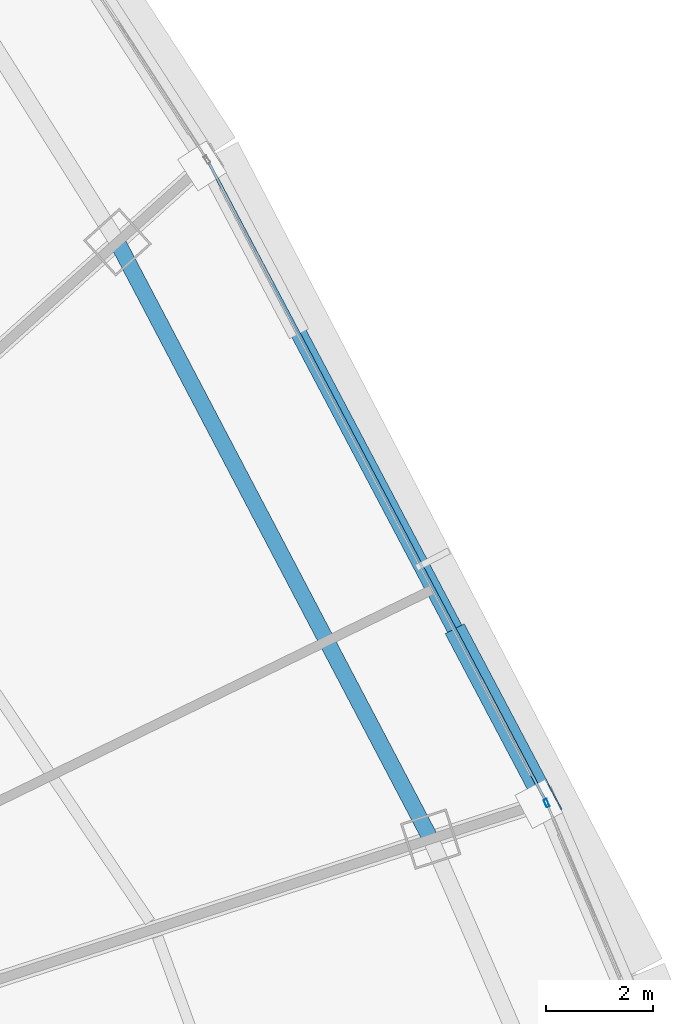
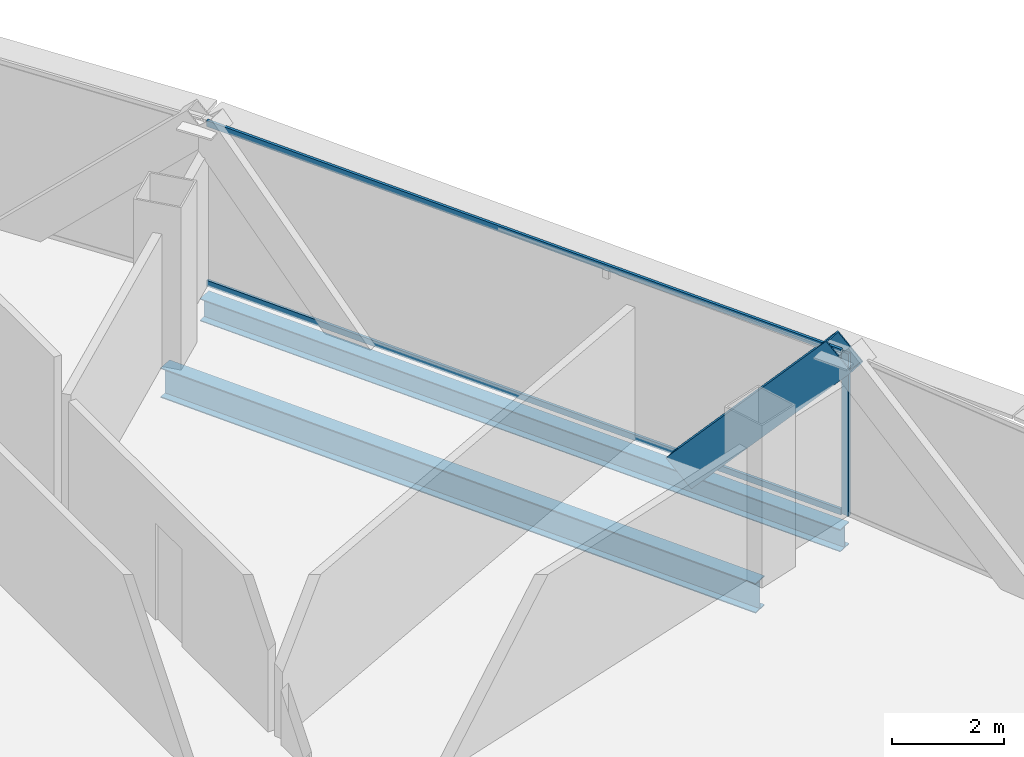
# One storey, part 27 of 40: 4 members, 2 beams, 2 elements without a shape of their own.
"""IFC4 building model written with IfcOpenShell, lengths in metres."""

from ifc_helpers import new_model, si_unit, direction, frame, origin, origin_2d, place, context, subcontext, project, spatial, hollow_rectangle, i_section, extrude, source, transform, mapped, material, layer, layer_set, material_profile, profile_set, type_object, element, aggregate, save


model = new_model("IFC4")

# Units and contexts
model_context = context("Model", 3, precision=1e-05, world=origin(), true_north=direction((0.0, 1.0)))
body_context = subcontext(model_context, "Body", "Model", "MODEL_VIEW")
ifc_project = project(units=[si_unit("LENGTHUNIT", "METRE"), si_unit("AREAUNIT", "SQUARE_METRE"), si_unit("VOLUMEUNIT", "CUBIC_METRE"), si_unit("PLANEANGLEUNIT", "RADIAN"), si_unit("MASSUNIT", "GRAM", prefix="KILO"), si_unit("THERMODYNAMICTEMPERATUREUNIT", "KELVIN"), si_unit("POWERUNIT", "WATT")], contexts=[model_context])

# Site, building, storey
site_placement = place(None, origin())
site = spatial("IfcSite", under=ifc_project, at=site_placement, CompositionType="ELEMENT")
building_placement = place(site_placement, origin())
building = spatial("IfcBuilding", under=site, at=building_placement, Name="Yunzhuo Pagoda Commons", CompositionType="ELEMENT")
storey_placement = place(building_placement, frame((0.0, 0.0, 188.56005859375)))
storey = spatial("IfcBuildingStorey", under=building, at=storey_placement, Name="L47", CompositionType="ELEMENT", Elevation=188.56005859375)

# Beams
ifc_material_1 = material(Name="Structural steel Q355B", Category="steel")
ifc_material_profile_1 = material_profile(ifc_material_1, i_section(OverallWidth=0.300048828125, OverallDepth=0.488037109375, WebThickness=0.010986328125, FlangeThickness=0.01806640625, at=origin_2d()), Name="Structural steel Q355B")
ifc_profile_set_1 = profile_set([ifc_material_profile_1], Name="Structural steel Q355B")
beam_type_1 = type_object("IfcBeamType", Name="B-SP1 Beam HM 488x300x11x18", PredefinedType="BEAM", material=ifc_profile_set_1)
shared_shape_1 = source(origin(), body_context, "Body", "SweptSolid", [
    extrude(i_section(OverallWidth=0.300048828125, OverallDepth=0.488037109375, WebThickness=0.010986328125, FlangeThickness=0.01806640625, at=origin_2d()), origin(), (0.0, 0.0, 1.0), 13.517578125),
])
beam_1_placement = place(storey_placement, frame((78.645263671875, 43.6572265625, -0.504150390625), z_axis=(-0.466784517215, 0.884371084154, 0.0), x_axis=(-0.884371084154, -0.466784517215, 0.0)))
element("IfcBeam", 1, at=beam_1_placement, inside=storey, type_object=beam_type_1, Name="L47 facade edge spandrel beam F2.2", PredefinedType="BEAM", context=body_context, shape_type="MappedRepresentation", body=[
    mapped(shared_shape_1, transform((0.0, 0.0, 0.0), scale=1.0)),
])
ifc_material_profile_2 = material_profile(ifc_material_1, i_section(OverallWidth=0.300048828125, OverallDepth=0.64990234375, WebThickness=0.012939453125, FlangeThickness=0.02197265625, at=origin_2d()), Name="Structural steel Q355B")
ifc_profile_set_2 = profile_set([ifc_material_profile_2], Name="Structural steel Q355B")
beam_type_2 = type_object("IfcBeamType", Name="B-RG2 Beam HN 650x300x13x22", PredefinedType="BEAM", material=ifc_profile_set_2)
shared_shape_2 = source(origin(), body_context, "Body", "SweptSolid", [
    extrude(i_section(OverallWidth=0.300048828125, OverallDepth=0.64990234375, WebThickness=0.012939453125, FlangeThickness=0.02197265625, at=origin_2d()), origin(), (0.0, 0.0, 1.0), 12.576416015625),
])
beam_2_placement = place(storey_placement, frame((76.49462890625, 42.95849609375, -0.5849609375), z_axis=(-0.464676385233, 0.885480579689, 0.0), x_axis=(-0.885480579689, -0.464676385233, 0.0)))
element("IfcBeam", 2, at=beam_2_placement, inside=storey, type_object=beam_type_2, Name="L47 column-ring beam 6", PredefinedType="BEAM", context=body_context, shape_type="MappedRepresentation", body=[
    mapped(shared_shape_2, transform((0.0, 0.0, 0.0), scale=1.0)),
])

# Member
ifc_material_profile_3 = material_profile(ifc_material_1, hollow_rectangle(XDim=0.39990234375, YDim=0.719970703125, WallThickness=0.02392578125, at=origin_2d()), Name="Structural steel Q355B")
ifc_profile_set_3 = profile_set([ifc_material_profile_3], Name="Structural steel Q355B")
member_type_1 = type_object("IfcMemberType", Name="M-DL2 Brace BOX 720x400x24", PredefinedType="BRACE", material=ifc_profile_set_3)
shared_shape_3 = source(origin(), body_context, "Body", "SweptSolid", [
    extrude(hollow_rectangle(XDim=0.39990234375, YDim=0.719970703125, WallThickness=0.02392578125, at=origin_2d()), origin(), (0.0, 0.0, 1.0), 5.08544921875),
])
member_1_placement = place(storey_placement, frame((77.067626953125, 46.645751953125, -0.260009765625), z_axis=(0.310232839863, -0.587675672047, 0.747256910008), x_axis=(0.884340844363, 0.466841805103, 0.0)))
element("IfcMember", 3, at=member_1_placement, inside=storey, type_object=member_type_1, Name="L47 facade diamond brace F2.2L", PredefinedType="BRACE", context=body_context, shape_type="MappedRepresentation", body=[
    mapped(shared_shape_3, transform((0.0, 0.0, 0.0), scale=1.0)),
])

# Curtain wall, member
ifc_material_2 = material(Name="Anodized aluminium 6063-T6", Category="aluminium")
ifc_layer = layer(ifc_material_2, 0.14990234375)
ifc_layer_set = layer_set([ifc_layer], Name="Anodized aluminium 6063-T6")
curtain_wall_type = type_object("IfcCurtainWallType", Name="CW-MID Mid-Zone Ribbon Curtain Wall", PredefinedType="NOTDEFINED", material=ifc_layer_set)
curtain_wall_1_placement = place(storey_placement, origin())
curtain_wall_1 = element("IfcCurtainWall", 4, at=curtain_wall_1_placement, inside=storey, type_object=curtain_wall_type, Name="L47 curtain wall CW-L47-F2B2", PredefinedType="NOTDEFINED")
ifc_material_profile_4 = material_profile(ifc_material_2, hollow_rectangle(XDim=0.06005859375, YDim=0.14990234375, WallThickness=0.00390625, at=origin_2d()), Name="Anodized aluminium 6063-T6")
ifc_profile_set_4 = profile_set([ifc_material_profile_4], Name="Anodized aluminium 6063-T6")
member_type_2 = type_object("IfcMemberType", Name="CW-MID-M Mullion RHS 150x60x4", PredefinedType="MULLION", material=ifc_profile_set_4)
shared_shape_4 = source(origin(), body_context, "Body", "SweptSolid", [
    extrude(hollow_rectangle(XDim=0.06005859375, YDim=0.14990234375, WallThickness=0.00390625, at=origin_2d()), origin(), (0.0, 0.0, 1.0), 3.5400390625),
])
member_2_placement = place(storey_placement, frame((78.65673828125, 43.629638671875, 0.0), z_axis=(0.0, 0.0, 1.0), x_axis=(-0.920515325194, -0.390706457693, 0.0)))
member_2 = element("IfcMember", 5, at=member_2_placement, type_object=member_type_2, Name="CW mullion 2", PredefinedType="MULLION", context=body_context, shape_type="MappedRepresentation", body=[
    mapped(shared_shape_4, transform((0.0, 0.0, 0.0), scale=1.0)),
])
aggregate(curtain_wall_1, [member_2])

# Curtain wall, members
curtain_wall_2_placement = place(storey_placement, origin())
curtain_wall_2 = element("IfcCurtainWall", 6, at=curtain_wall_2_placement, inside=storey, type_object=curtain_wall_type, Name="L47 curtain wall CW-L47-F2B3", PredefinedType="NOTDEFINED")
ifc_material_profile_5 = material_profile(ifc_material_2, hollow_rectangle(XDim=0.054931640625, YDim=0.1298828125, WallThickness=0.00341796875, at=origin_2d()), Name="Anodized aluminium 6063-T6")
ifc_profile_set_5 = profile_set([ifc_material_profile_5], Name="Anodized aluminium 6063-T6")
member_type_3 = type_object("IfcMemberType", Name="CW-MID-T Transom RHS 130x55x3.5", PredefinedType="USERDEFINED", material=ifc_profile_set_5)
shared_shape_5 = source(origin(), body_context, "Body", "SweptSolid", [
    extrude(hollow_rectangle(XDim=0.054931640625, YDim=0.1298828125, WallThickness=0.00341796875, at=origin_2d()), origin(), (0.0, 0.0, 1.0), 13.397705078125),
])
member_3_placement = place(storey_placement, frame((78.617431640625, 43.710205078125, 0.02734375), z_axis=(-0.466793063104, 0.884366573451, 0.0), x_axis=(-0.884366573451, -0.466793063104, 0.0)))
member_3 = element("IfcMember", 7, at=member_3_placement, type_object=member_type_3, Name="CW transom 1.1", ObjectType="TRANSOM", PredefinedType="USERDEFINED", context=body_context, shape_type="MappedRepresentation", body=[
    mapped(shared_shape_5, transform((0.0, 0.0, 0.0), scale=1.0)),
])
member_4_placement = place(storey_placement, frame((78.617431640625, 43.710205078125, 3.512451171875), z_axis=(-0.466793063104, 0.884366573451, 0.0), x_axis=(-0.884366573451, -0.466793063104, 0.0)))
member_4 = element("IfcMember", 8, at=member_4_placement, type_object=member_type_3, Name="CW transom 1.2", ObjectType="TRANSOM", PredefinedType="USERDEFINED", context=body_context, shape_type="MappedRepresentation", body=[
    mapped(shared_shape_5, transform((0.0, 0.0, 0.0), scale=1.0)),
])
aggregate(curtain_wall_2, [member_3, member_4])

save(model, "model.ifc")
